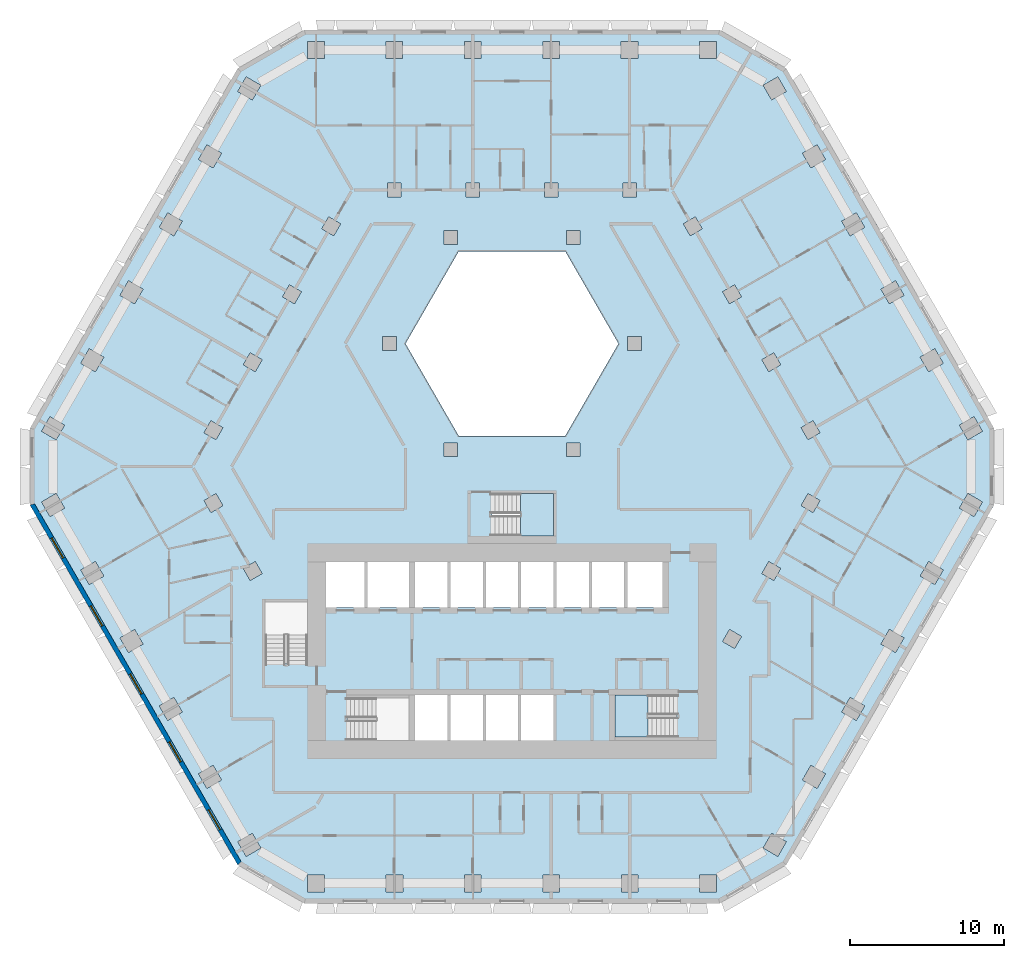
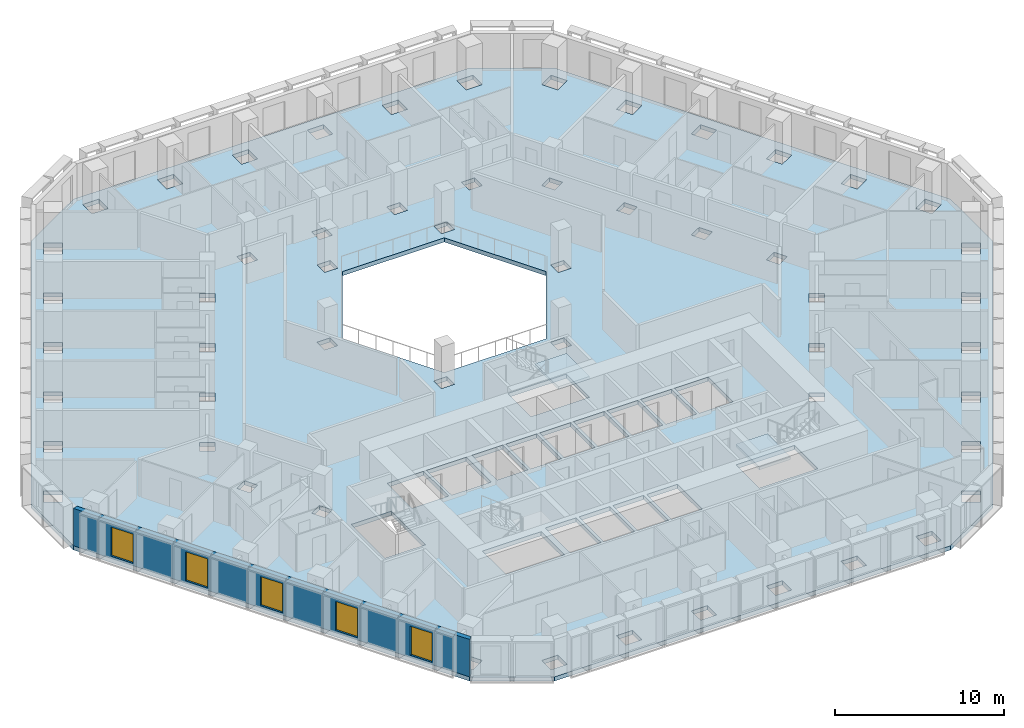
# One storey, part 2 of 16: 5 windows, 3 slabs, 1 wall, 5 openings, 2 elements without a shape of their own.
"""IFC4 building model written with IfcOpenShell, lengths in metres."""

from ifc_helpers import new_model, si_unit, direction, frame, frame_2d, origin, place, context, subcontext, project, spatial, polyline, rectangle, outline, extrude, material, layer, layer_set, type_object, element, fill, aggregate, save


model = new_model("IFC4")

# Units and contexts
model_context = context("Model", 3, precision=1e-05, world=origin(), true_north=direction((0.0, 1.0)))
body_context = subcontext(model_context, "Body", "Model", "MODEL_VIEW")
ifc_project = project(units=[si_unit("LENGTHUNIT", "METRE"), si_unit("AREAUNIT", "SQUARE_METRE"), si_unit("VOLUMEUNIT", "CUBIC_METRE"), si_unit("PLANEANGLEUNIT", "RADIAN"), si_unit("MASSUNIT", "GRAM", prefix="KILO")], contexts=[model_context])

# Site, building, storey
site_placement = place(None, origin())
site = spatial("IfcSite", under=ifc_project, at=site_placement, CompositionType="ELEMENT")
building_placement = place(site_placement, origin())
building = spatial("IfcBuilding", under=site, at=building_placement, Name="Beryl Residences", CompositionType="ELEMENT")
storey_placement = place(building_placement, frame((0.0, 0.0, 32.39990234375)))
storey = spatial("IfcBuildingStorey", under=building, at=storey_placement, Name="L09", CompositionType="ELEMENT", Elevation=32.39990234375)

# Slab
ifc_material_1 = material(Name="Concrete C40/50", Category="concrete")
ifc_layer_1 = layer(ifc_material_1, 0.300048828125)
ifc_layer_set_1 = layer_set([ifc_layer_1], Name="SL7 PT floor slab 300 mm C40/50")
slab_type_1 = type_object("IfcSlabType", Name="SL7 PT floor slab 300 mm C40/50", PredefinedType="FLOOR", material=ifc_layer_set_1)
slab_1_placement = place(storey_placement, frame((0.0, 0.0, -0.2998046875)))
element("IfcSlab", 1, at=slab_1_placement, inside=storey, type_object=slab_type_1, Name="L09 slab 1", PredefinedType="FLOOR", context=body_context, shape_type="SweptSolid", body=[
    extrude(outline(polyline([(31.35009765625, -2.5), (17.840087890625, -25.89990234375), (13.510009765625, -28.39990234375), (-13.510009765625, -28.39990234375), (-17.840087890625, -25.89990234375), (-31.35009765625, -2.5), (-31.35009765625, 2.5), (-17.840087890625, 25.89990234375), (-13.510009765625, 28.39990234375), (13.510009765625, 28.39990234375), (17.840087890625, 25.89990234375), (31.35009765625, 2.5), (31.35009765625, -2.5)]), holes=[polyline([(30.60009765625, -2.298095703125), (29.64794921875, -1.748046875), (29.097900390625, -2.699951171875), (30.050048828125, -3.25), (30.60009765625, -2.298095703125)]), polyline([(30.59912109375, 2.299072265625), (30.049072265625, 3.2509765625), (29.096923828125, 2.700927734375), (29.64697265625, 1.7490234375), (30.59912109375, 2.299072265625)]), polyline([(28.049072265625, -6.718017578125), (27.096923828125, -6.16796875), (26.547119140625, -7.1201171875), (27.4990234375, -7.669921875), (28.049072265625, -6.718017578125)]), polyline([(27.498046875, 7.672119140625), (26.5458984375, 7.1220703125), (27.095947265625, 6.169921875), (28.048095703125, 6.719970703125), (27.498046875, 7.672119140625)]), polyline([(24.544921875, -10.587890625), (23.9951171875, -11.5400390625), (24.947021484375, -12.090087890625), (25.4970703125, -11.137939453125), (24.544921875, -10.587890625)]), polyline([(25.49609375, 11.139892578125), (24.946044921875, 12.092041015625), (23.993896484375, 11.5419921875), (24.5439453125, 10.590087890625), (25.49609375, 11.139892578125)]), polyline([(22.39501953125, -16.510009765625), (22.945068359375, -15.55810546875), (21.992919921875, -15.008056640625), (21.443115234375, -15.9599609375), (22.39501953125, -16.510009765625)]), polyline([(22.39404296875, 16.511962890625), (21.44189453125, 15.9619140625), (21.991943359375, 15.010009765625), (22.944091796875, 15.56005859375), (22.39404296875, 16.511962890625)]), polyline([(20.39306640625, -19.97900390625), (19.44091796875, -19.428955078125), (18.89111328125, -20.381103515625), (19.843017578125, -20.930908203125), (20.39306640625, -19.97900390625)]), polyline([(19.842041015625, 20.931884765625), (18.889892578125, 20.382080078125), (19.43994140625, 19.429931640625), (20.39208984375, 19.97998046875), (19.842041015625, 20.931884765625)]), polyline([(20.031982421875, -2.2041015625), (19.251953125, -1.75390625), (18.802001953125, -2.533935546875), (19.58203125, -2.98388671875), (20.031982421875, -2.2041015625)]), polyline([(20.031005859375, 2.2060546875), (19.5810546875, 2.986083984375), (18.801025390625, 2.535888671875), (19.2509765625, 1.756103515625), (20.031005859375, 2.2060546875)]), polyline([(17.841064453125, -24.39892578125), (16.888916015625, -23.84912109375), (16.339111328125, -24.801025390625), (17.291015625, -25.35107421875), (17.841064453125, -24.39892578125)]), polyline([(17.840087890625, 24.39990234375), (17.2900390625, 25.35205078125), (16.337890625, 24.802001953125), (16.887939453125, 23.85009765625), (17.840087890625, 24.39990234375)]), polyline([(17.47998046875, -6.6240234375), (16.699951171875, -6.174072265625), (16.25, -6.9541015625), (17.030029296875, -7.404052734375), (17.47998046875, -6.6240234375)]), polyline([(17.029052734375, 7.406005859375), (16.2490234375, 6.9560546875), (16.698974609375, 6.176025390625), (17.47900390625, 6.6259765625), (17.029052734375, 7.406005859375)]), polyline([(14.927978515625, -11.0439453125), (14.14794921875, -10.593994140625), (13.697998046875, -11.3740234375), (14.47802734375, -11.823974609375), (14.927978515625, -11.0439453125)]), polyline([(14.927001953125, 11.0458984375), (14.47705078125, 11.825927734375), (13.697021484375, 11.3759765625), (14.14697265625, 10.595947265625), (14.927001953125, 11.0458984375)]), polyline([(13.31103515625, -27.64990234375), (13.31103515625, -26.550048828125), (12.2109375, -26.550048828125), (12.2109375, -27.64990234375), (13.31103515625, -27.64990234375)]), polyline([(13.30908203125, 27.64990234375), (12.208984375, 27.64990234375), (12.208984375, 26.550048828125), (13.30908203125, 26.550048828125), (13.30908203125, 27.64990234375)]), polyline([(11.925048828125, 16.24609375), (11.14501953125, 15.7958984375), (11.594970703125, 15.01611328125), (12.375, 15.466064453125), (11.925048828125, 16.24609375)]), polyline([(10.699951171875, -14.85009765625), (6.699951171875, -14.85009765625), (6.699951171875, -17.60009765625), (10.699951171875, -17.60009765625), (10.699951171875, -14.85009765625)]), polyline([(9.800048828125, -6.199951171875), (7.5, -6.199951171875), (7.5, -9.14990234375), (9.800048828125, -9.14990234375), (9.800048828125, -6.199951171875)]), polyline([(8.4169921875, 7.550048828125), (8.4169921875, 8.449951171875), (7.51708984375, 8.449951171875), (7.51708984375, 7.550048828125), (8.4169921875, 7.550048828125)]), polyline([(7.10693359375, -27.64990234375), (8.20703125, -27.64990234375), (8.20703125, -26.550048828125), (7.10693359375, -26.550048828125), (7.10693359375, -27.64990234375)]), polyline([(8.205078125, 27.64990234375), (7.10498046875, 27.64990234375), (7.10498046875, 26.550048828125), (8.205078125, 26.550048828125), (8.205078125, 27.64990234375)]), polyline([(7.205078125, 18.449951171875), (7.205078125, 17.550048828125), (8.10498046875, 17.550048828125), (8.10498046875, 18.449951171875), (7.205078125, 18.449951171875)]), polyline([(5.199951171875, -9.14990234375), (7.300048828125, -9.14990234375), (7.300048828125, -6.199951171875), (5.199951171875, -6.199951171875), (5.199951171875, -9.14990234375)]), polyline([(3.464111328125, 14.0), (-3.464111328125, 14.0), (-6.92822265625, 8.0), (-3.464111328125, 2.0), (3.464111328125, 2.0), (6.92822265625, 8.0), (3.464111328125, 14.0)]), polyline([(2.89990234375, -6.199951171875), (2.89990234375, -9.14990234375), (5.0, -9.14990234375), (5.0, -6.199951171875), (2.89990234375, -6.199951171875)]), polyline([(4.43408203125, 15.35009765625), (3.533935546875, 15.35009765625), (3.533935546875, 14.449951171875), (4.43408203125, 14.449951171875), (4.43408203125, 15.35009765625)]), polyline([(4.43408203125, 0.64990234375), (4.43408203125, 1.550048828125), (3.533935546875, 1.550048828125), (3.533935546875, 0.64990234375), (4.43408203125, 0.64990234375)]), polyline([(3.10302734375, -27.64990234375), (3.10302734375, -26.550048828125), (2.0029296875, -26.550048828125), (2.0029296875, -27.64990234375), (3.10302734375, -27.64990234375)]), polyline([(2.0009765625, 27.64990234375), (2.0009765625, 26.550048828125), (3.10107421875, 26.550048828125), (3.10107421875, 27.64990234375), (2.0009765625, 27.64990234375)]), polyline([(3.0009765625, 18.449951171875), (2.10107421875, 18.449951171875), (2.10107421875, 17.550048828125), (3.0009765625, 17.550048828125), (3.0009765625, 18.449951171875)]), polyline([(-1.300048828125, -1.75), (-1.300048828125, -4.5), (2.699951171875, -4.5), (2.699951171875, -1.75), (-1.300048828125, -1.75)]), polyline([(0.60009765625, -9.14990234375), (2.699951171875, -9.14990234375), (2.699951171875, -6.199951171875), (0.60009765625, -6.199951171875), (0.60009765625, -9.14990234375)]), polyline([(0.60009765625, -17.800048828125), (2.699951171875, -17.800048828125), (2.699951171875, -14.85009765625), (0.60009765625, -14.85009765625), (0.60009765625, -17.800048828125)]), polyline([(-1.699951171875, -6.199951171875), (-1.699951171875, -9.14990234375), (0.39990234375, -9.14990234375), (0.39990234375, -6.199951171875), (-1.699951171875, -6.199951171875)]), polyline([(-1.699951171875, -14.85009765625), (-1.699951171875, -17.800048828125), (0.39990234375, -17.800048828125), (0.39990234375, -14.85009765625), (-1.699951171875, -14.85009765625)]), polyline([(-4.0, -9.14990234375), (-1.89990234375, -9.14990234375), (-1.89990234375, -6.199951171875), (-4.0, -6.199951171875), (-4.0, -9.14990234375)]), polyline([(-4.0, -17.800048828125), (-1.89990234375, -17.800048828125), (-1.89990234375, -14.85009765625), (-4.0, -14.85009765625), (-4.0, -17.800048828125)]), polyline([(-2.0009765625, -27.64990234375), (-2.0009765625, -26.550048828125), (-3.10107421875, -26.550048828125), (-3.10107421875, -27.64990234375), (-2.0009765625, -27.64990234375)]), polyline([(-3.10302734375, 27.64990234375), (-3.10302734375, 26.550048828125), (-2.0029296875, 26.550048828125), (-2.0029296875, 27.64990234375), (-3.10302734375, 27.64990234375)]), polyline([(-2.10302734375, 18.449951171875), (-3.0029296875, 18.449951171875), (-3.0029296875, 17.550048828125), (-2.10302734375, 17.550048828125), (-2.10302734375, 18.449951171875)]), polyline([(-3.533935546875, 14.449951171875), (-3.533935546875, 15.35009765625), (-4.43408203125, 15.35009765625), (-4.43408203125, 14.449951171875), (-3.533935546875, 14.449951171875)]), polyline([(-3.533935546875, 0.64990234375), (-3.533935546875, 1.550048828125), (-4.43408203125, 1.550048828125), (-4.43408203125, 0.64990234375), (-3.533935546875, 0.64990234375)]), polyline([(-6.300048828125, -9.14990234375), (-4.199951171875, -9.14990234375), (-4.199951171875, -6.199951171875), (-6.300048828125, -6.199951171875), (-6.300048828125, -9.14990234375)]), polyline([(-6.300048828125, -14.85009765625), (-6.300048828125, -17.800048828125), (-4.199951171875, -17.800048828125), (-4.199951171875, -14.85009765625), (-6.300048828125, -14.85009765625)]), polyline([(-6.699951171875, -17.800048828125), (-6.699951171875, -15.050048828125), (-10.699951171875, -15.050048828125), (-10.699951171875, -17.800048828125), (-6.699951171875, -17.800048828125)]), polyline([(-9.39990234375, -6.199951171875), (-9.39990234375, -9.14990234375), (-6.699951171875, -9.14990234375), (-6.699951171875, -6.199951171875), (-9.39990234375, -6.199951171875)]), polyline([(-8.205078125, -27.64990234375), (-7.10498046875, -27.64990234375), (-7.10498046875, -26.550048828125), (-8.205078125, -26.550048828125), (-8.205078125, -27.64990234375)]), polyline([(-7.10693359375, 27.64990234375), (-8.20703125, 27.64990234375), (-8.20703125, 26.550048828125), (-7.10693359375, 26.550048828125), (-7.10693359375, 27.64990234375)]), polyline([(-8.10693359375, 18.449951171875), (-8.10693359375, 17.550048828125), (-7.20703125, 17.550048828125), (-7.20703125, 18.449951171875), (-8.10693359375, 18.449951171875)]), polyline([(-8.4169921875, 7.550048828125), (-7.51708984375, 7.550048828125), (-7.51708984375, 8.449951171875), (-8.4169921875, 8.449951171875), (-8.4169921875, 7.550048828125)]), polyline([(-12.10009765625, -6.199951171875), (-12.10009765625, -9.14990234375), (-9.60009765625, -9.14990234375), (-9.60009765625, -6.199951171875), (-12.10009765625, -6.199951171875)]), polyline([(-12.3759765625, 15.465087890625), (-11.595947265625, 15.014892578125), (-11.14599609375, 15.794921875), (-11.926025390625, 16.2451171875), (-12.3759765625, 15.465087890625)]), polyline([(-12.208984375, -26.550048828125), (-13.30908203125, -26.550048828125), (-13.30908203125, -27.64990234375), (-12.208984375, -27.64990234375), (-12.208984375, -26.550048828125)]), polyline([(-13.31103515625, 27.64990234375), (-13.31103515625, 26.550048828125), (-12.2109375, 26.550048828125), (-12.2109375, 27.64990234375), (-13.31103515625, 27.64990234375)]), polyline([(-13.300048828125, -8.800048828125), (-16.050048828125, -8.800048828125), (-16.050048828125, -12.800048828125), (-13.300048828125, -12.800048828125), (-13.300048828125, -8.800048828125)]), polyline([(-14.47802734375, 11.823974609375), (-14.927978515625, 11.0439453125), (-14.14794921875, 10.593994140625), (-13.697998046875, 11.3740234375), (-14.47802734375, 11.823974609375)]), polyline([(-17.029052734375, -7.406005859375), (-16.2490234375, -6.9560546875), (-16.698974609375, -6.176025390625), (-17.47900390625, -6.6259765625), (-17.029052734375, -7.406005859375)]), polyline([(-17.47998046875, 6.6240234375), (-16.699951171875, 6.174072265625), (-16.25, 6.9541015625), (-17.030029296875, 7.404052734375), (-17.47998046875, 6.6240234375)]), polyline([(-17.2900390625, -25.35205078125), (-16.337890625, -24.802001953125), (-16.887939453125, -23.85009765625), (-17.840087890625, -24.39990234375), (-17.2900390625, -25.35205078125)]), polyline([(-17.841064453125, 24.39892578125), (-16.888916015625, 23.84912109375), (-16.339111328125, 24.801025390625), (-17.291015625, 25.35107421875), (-17.841064453125, 24.39892578125)]), polyline([(-20.031005859375, -2.2060546875), (-19.5810546875, -2.986083984375), (-18.801025390625, -2.535888671875), (-19.2509765625, -1.756103515625), (-20.031005859375, -2.2060546875)]), polyline([(-19.58203125, 2.98388671875), (-20.031982421875, 2.2041015625), (-19.251953125, 1.75390625), (-18.802001953125, 2.533935546875), (-19.58203125, 2.98388671875)]), polyline([(-19.842041015625, -20.931884765625), (-18.889892578125, -20.382080078125), (-19.43994140625, -19.429931640625), (-20.39208984375, -19.97998046875), (-19.842041015625, -20.931884765625)]), polyline([(-20.39306640625, 19.97900390625), (-19.44091796875, 19.428955078125), (-18.89111328125, 20.381103515625), (-19.843017578125, 20.930908203125), (-20.39306640625, 19.97900390625)]), polyline([(-22.39404296875, -16.511962890625), (-21.44189453125, -15.9619140625), (-21.991943359375, -15.010009765625), (-22.944091796875, -15.56005859375), (-22.39404296875, -16.511962890625)]), polyline([(-22.945068359375, 15.55810546875), (-21.992919921875, 15.008056640625), (-21.443115234375, 15.9599609375), (-22.39501953125, 16.510009765625), (-22.945068359375, 15.55810546875)]), polyline([(-24.946044921875, -12.092041015625), (-23.993896484375, -11.5419921875), (-24.5439453125, -10.590087890625), (-25.49609375, -11.139892578125), (-24.946044921875, -12.092041015625)]), polyline([(-24.544921875, 10.587890625), (-23.9951171875, 11.5400390625), (-24.947021484375, 12.090087890625), (-25.4970703125, 11.137939453125), (-24.544921875, 10.587890625)]), polyline([(-27.498046875, -7.672119140625), (-26.5458984375, -7.1220703125), (-27.095947265625, -6.169921875), (-28.048095703125, -6.719970703125), (-27.498046875, -7.672119140625)]), polyline([(-28.049072265625, 6.718017578125), (-27.096923828125, 6.16796875), (-26.547119140625, 7.1201171875), (-27.4990234375, 7.669921875), (-28.049072265625, 6.718017578125)]), polyline([(-29.096923828125, -2.700927734375), (-29.64697265625, -1.7490234375), (-30.59912109375, -2.299072265625), (-30.049072265625, -3.2509765625), (-29.096923828125, -2.700927734375)]), polyline([(-30.60009765625, 2.298095703125), (-29.64794921875, 1.748046875), (-29.097900390625, 2.699951171875), (-30.050048828125, 3.25), (-30.60009765625, 2.298095703125)])]), origin(), (0.0, 0.0, 1.0), 0.2998046875),
])

# Stair, slab
ifc_material_2 = material(Name="Concrete C40/50", Category="concrete")
stair_type = type_object("IfcStairType", Name="ST1 protected exit stair, half-turn, 1300 mm flights", PredefinedType="HALF_TURN_STAIR", material=ifc_material_2)
stair_1_placement = place(storey_placement, origin())
stair_1 = element("IfcStair", 2, at=stair_1_placement, inside=storey, type_object=stair_type, Name="L09 PROTECTED EXIT STAIR ST-3", PredefinedType="HALF_TURN_STAIR")
ifc_material_3 = material(Name="Concrete C40/50", Category="concrete")
ifc_layer_2 = layer(ifc_material_3, 0.199951171875)
ifc_layer_set_2 = layer_set([ifc_layer_2], Name="SLD1 stair landing 200 mm")
slab_type_2 = type_object("IfcSlabType", Name="SLD1 stair landing 200 mm", PredefinedType="LANDING", material=ifc_layer_set_2)
slab_2_placement = place(storey_placement, frame((0.0, 0.0, 1.300048828125)))
slab_2 = element("IfcSlab", 3, at=slab_2_placement, type_object=slab_type_2, Name="ST-3 landing 1", PredefinedType="LANDING", context=body_context, shape_type="SweptSolid", body=[
    extrude(outline(polyline([(8.840087890625, -14.85009765625), (6.699951171875, -14.85009765625), (6.699951171875, -17.60009765625), (8.840087890625, -17.60009765625), (8.840087890625, -14.85009765625)])), origin(), (0.0, 0.0, 1.0), 0.199951171875),
])
aggregate(stair_1, [slab_2])

stair_2_placement = place(storey_placement, origin())
stair_2 = element("IfcStair", 4, at=stair_2_placement, inside=storey, type_object=stair_type, Name="L09 PROTECTED EXIT STAIR ST-4", PredefinedType="HALF_TURN_STAIR")
slab_3_placement = place(storey_placement, frame((0.0, 0.0, 1.300048828125)))
slab_3 = element("IfcSlab", 5, at=slab_3_placement, type_object=slab_type_2, Name="ST-4 landing 1", PredefinedType="LANDING", context=body_context, shape_type="SweptSolid", body=[
    extrude(outline(polyline([(0.56005859375, -4.5), (2.699951171875, -4.5), (2.699951171875, -1.75), (0.56005859375, -1.75), (0.56005859375, -4.5)])), origin(), (0.0, 0.0, 1.0), 0.199951171875),
])
aggregate(stair_2, [slab_3])

# Wall, openings, windows
ifc_material_4 = material(Name="Composite metal panel with mineral wool insulation")
ifc_layer_3 = layer(ifc_material_4, 0.300048828125)
ifc_layer_set_3 = layer_set([ifc_layer_3], Name="ES1 pale metal composite panel wall 300 mm")
wall_type = type_object("IfcWallType", Name="ES1 pale metal composite panel wall 300 mm", PredefinedType="SOLIDWALL", material=ifc_layer_set_3)
wall_placement = place(storey_placement, frame((-31.219970703125, -2.425048828125, 0.0), z_axis=(0.0, 0.0, 1.0), x_axis=(0.500001938803, -0.866024284413, 0.0)))
wall = element("IfcWall", 6, at=wall_placement, inside=storey, type_object=wall_type, Name="ES1 external wall L09 SW", PredefinedType="SOLIDWALL", context=body_context, shape_type="SweptSolid", body=[
    extrude(outline(polyline([(0.0, -0.14990234375), (27.02001953125, -0.14990234375), (26.939697265625, 0.14990234375), (0.080322265625, 0.14990234375), (0.0, -0.14990234375)])), origin(), (0.0, 0.0, 1.0), 2.7001953125),
])
opening_1_placement = place(wall_placement, frame((2.552978515625, 0.0, 0.14990234375)))
opening_1 = element("IfcOpeningElement", 7, at=opening_1_placement, cuts=wall, Name="Opening W1", PredefinedType="OPENING", context=body_context, shape_type="SweptSolid", body=[
    extrude(rectangle(XDim=1.5, YDim=2.10009765625, at=frame_2d((0.75, 1.050048828125))), frame((0.0, 0.159912109375, 0.0), z_axis=(0.0, -1.0, 0.0), x_axis=(1.0, 0.0, 0.0)), (0.0, 0.0, 1.0), 0.320068359375),
])
opening_2_placement = place(wall_placement, frame((7.656982421875, 0.0, 0.14990234375)))
opening_2 = element("IfcOpeningElement", 8, at=opening_2_placement, cuts=wall, Name="Opening W1", PredefinedType="OPENING", context=body_context, shape_type="SweptSolid", body=[
    extrude(rectangle(XDim=1.5, YDim=2.10009765625, at=frame_2d((0.75, 1.050048828125))), frame((0.0, 0.159912109375, 0.0), z_axis=(0.0, -1.0, 0.0), x_axis=(1.0, 0.0, 0.0)), (0.0, 0.0, 1.0), 0.320068359375),
])
opening_3_placement = place(wall_placement, frame((12.760986328125, 0.0, 0.14990234375)))
opening_3 = element("IfcOpeningElement", 9, at=opening_3_placement, cuts=wall, Name="Opening W1", PredefinedType="OPENING", context=body_context, shape_type="SweptSolid", body=[
    extrude(rectangle(XDim=1.5, YDim=2.10009765625, at=frame_2d((0.75, 1.050048828125))), frame((0.0, 0.159912109375, 0.0), z_axis=(0.0, -1.0, 0.0), x_axis=(1.0, 0.0, 0.0)), (0.0, 0.0, 1.0), 0.320068359375),
])
opening_4_placement = place(wall_placement, frame((17.864990234375, 0.0, 0.14990234375)))
opening_4 = element("IfcOpeningElement", 10, at=opening_4_placement, cuts=wall, Name="Opening W1", PredefinedType="OPENING", context=body_context, shape_type="SweptSolid", body=[
    extrude(rectangle(XDim=1.5, YDim=2.10009765625, at=frame_2d((0.75, 1.050048828125))), frame((0.0, 0.159912109375, 0.0), z_axis=(0.0, -1.0, 0.0), x_axis=(1.0, 0.0, 0.0)), (0.0, 0.0, 1.0), 0.320068359375),
])
opening_5_placement = place(wall_placement, frame((22.968994140625, 0.0, 0.14990234375)))
opening_5 = element("IfcOpeningElement", 11, at=opening_5_placement, cuts=wall, Name="Opening W1", PredefinedType="OPENING", context=body_context, shape_type="SweptSolid", body=[
    extrude(rectangle(XDim=1.5, YDim=2.10009765625, at=frame_2d((0.75, 1.050048828125))), frame((0.0, 0.159912109375, 0.0), z_axis=(0.0, -1.0, 0.0), x_axis=(1.0, 0.0, 0.0)), (0.0, 0.0, 1.0), 0.320068359375),
])
ifc_material_5 = material(Name="Aluminium and clear glass", Category="aluminium")
window_type = type_object("IfcWindowType", Name="W1 cell window 1500 x 2100 mm", PartitioningType="SINGLE_PANEL", PredefinedType="WINDOW", material=ifc_material_5)
window_1_placement = place(opening_1_placement, origin())
window_1 = element("IfcWindow", 12, at=window_1_placement, inside=storey, type_object=window_type, Name="W1 window L09 SW 2", OverallHeight=2.10009765625, OverallWidth=1.5, PartitioningType="SINGLE_PANEL", PredefinedType="WINDOW", context=body_context, shape_type="SweptSolid", body=[
    extrude(rectangle(XDim=1.5, YDim=2.10009765625, at=frame_2d((0.75, 1.050048828125))), frame((0.0, 0.030029296875, 0.0), z_axis=(0.0, -1.0, 0.0), x_axis=(1.0, 0.0, 0.0)), (0.0, 0.0, 1.0), 0.06005859375),
])
fill(opening_1, window_1)
window_2_placement = place(opening_2_placement, origin())
window_2 = element("IfcWindow", 13, at=window_2_placement, inside=storey, type_object=window_type, Name="W1 window L09 SW 4", OverallHeight=2.10009765625, OverallWidth=1.5, PartitioningType="SINGLE_PANEL", PredefinedType="WINDOW", context=body_context, shape_type="SweptSolid", body=[
    extrude(rectangle(XDim=1.5, YDim=2.10009765625, at=frame_2d((0.75, 1.050048828125))), frame((0.0, 0.030029296875, 0.0), z_axis=(0.0, -1.0, 0.0), x_axis=(1.0, 0.0, 0.0)), (0.0, 0.0, 1.0), 0.06005859375),
])
fill(opening_2, window_2)
window_3_placement = place(opening_3_placement, origin())
window_3 = element("IfcWindow", 14, at=window_3_placement, inside=storey, type_object=window_type, Name="W1 window L09 SW 6", OverallHeight=2.10009765625, OverallWidth=1.5, PartitioningType="SINGLE_PANEL", PredefinedType="WINDOW", context=body_context, shape_type="SweptSolid", body=[
    extrude(rectangle(XDim=1.5, YDim=2.10009765625, at=frame_2d((0.75, 1.050048828125))), frame((0.0, 0.030029296875, 0.0), z_axis=(0.0, -1.0, 0.0), x_axis=(1.0, 0.0, 0.0)), (0.0, 0.0, 1.0), 0.06005859375),
])
fill(opening_3, window_3)
window_4_placement = place(opening_4_placement, origin())
window_4 = element("IfcWindow", 15, at=window_4_placement, inside=storey, type_object=window_type, Name="W1 window L09 SW 8", OverallHeight=2.10009765625, OverallWidth=1.5, PartitioningType="SINGLE_PANEL", PredefinedType="WINDOW", context=body_context, shape_type="SweptSolid", body=[
    extrude(rectangle(XDim=1.5, YDim=2.10009765625, at=frame_2d((0.75, 1.050048828125))), frame((0.0, 0.030029296875, 0.0), z_axis=(0.0, -1.0, 0.0), x_axis=(1.0, 0.0, 0.0)), (0.0, 0.0, 1.0), 0.06005859375),
])
fill(opening_4, window_4)
window_5_placement = place(opening_5_placement, origin())
window_5 = element("IfcWindow", 16, at=window_5_placement, inside=storey, type_object=window_type, Name="W1 window L09 SW 10", OverallHeight=2.10009765625, OverallWidth=1.5, PartitioningType="SINGLE_PANEL", PredefinedType="WINDOW", context=body_context, shape_type="SweptSolid", body=[
    extrude(rectangle(XDim=1.5, YDim=2.10009765625, at=frame_2d((0.75, 1.050048828125))), frame((0.0, 0.030029296875, 0.0), z_axis=(0.0, -1.0, 0.0), x_axis=(1.0, 0.0, 0.0)), (0.0, 0.0, 1.0), 0.06005859375),
])
fill(opening_5, window_5)

save(model, "model.ifc")
